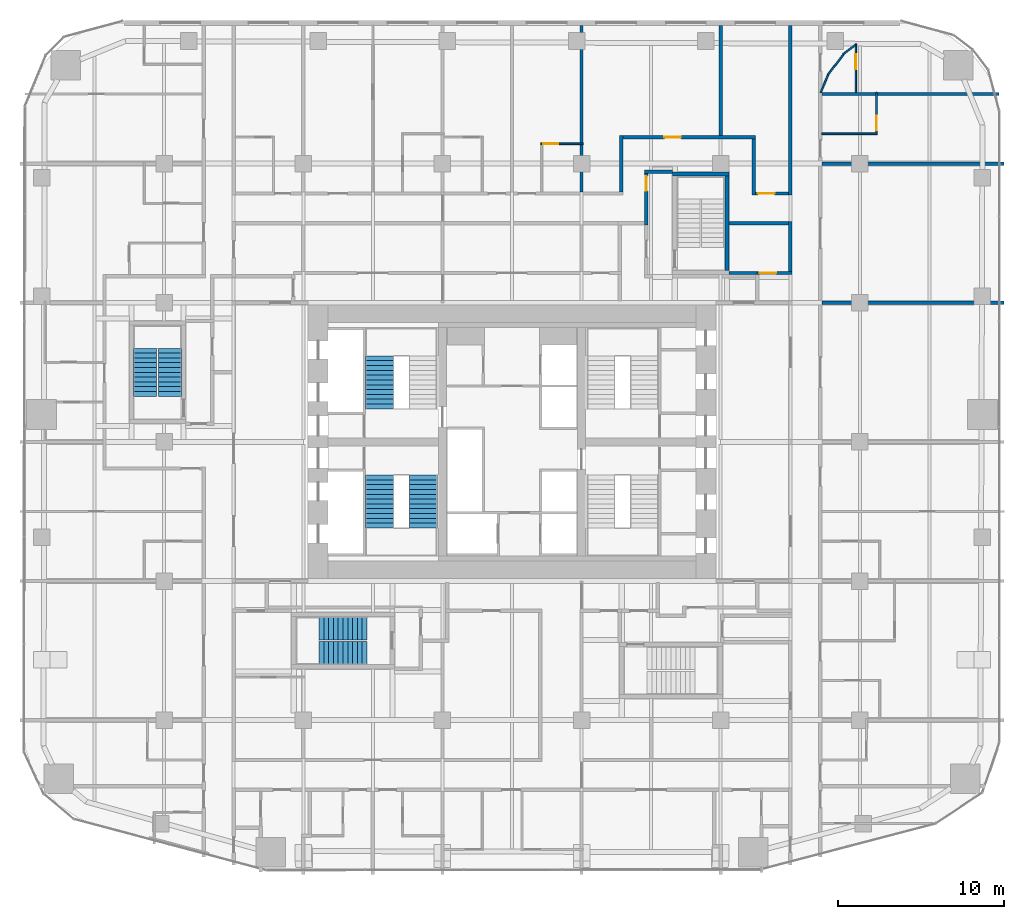
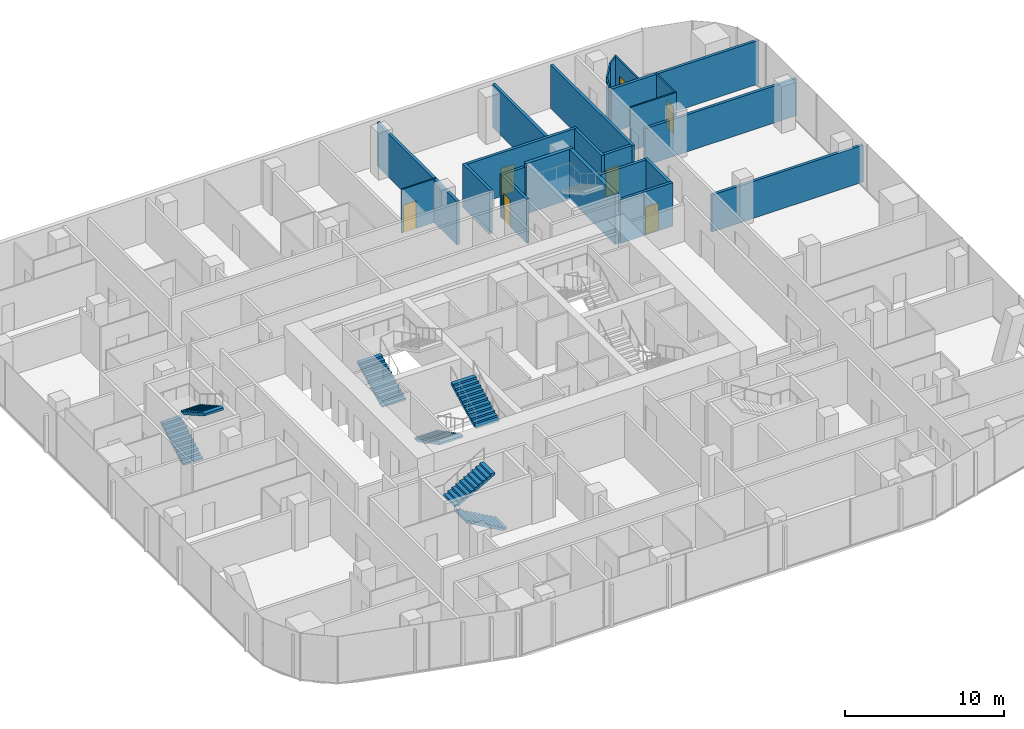
# One storey, part 24 of 27: 25 walls, 7 doors, 7 stair flights, 7 openings, 4 elements without a shape of their own.
"""IFC4 building model written with IfcOpenShell, lengths in metres."""

from ifc_helpers import new_model, si_unit, direction, frame, frame_2d, origin, place, context, subcontext, project, spatial, polyline, rectangle, outline, extrude, material, layer, layer_set, type_object, element, fill, aggregate, save


model = new_model("IFC4")

# Units and contexts
model_context = context("Model", 3, precision=1e-05, world=origin(), true_north=direction((0.0, 1.0)))
body_context = subcontext(model_context, "Body", "Model", "MODEL_VIEW")
ifc_project = project(units=[si_unit("LENGTHUNIT", "METRE"), si_unit("AREAUNIT", "SQUARE_METRE"), si_unit("VOLUMEUNIT", "CUBIC_METRE"), si_unit("PLANEANGLEUNIT", "RADIAN"), si_unit("MASSUNIT", "GRAM", prefix="KILO")], contexts=[model_context])

# Site, building, storey
site_placement = place(None, origin())
site = spatial("IfcSite", under=ifc_project, at=site_placement, CompositionType="ELEMENT")
building_placement = place(site_placement, origin())
building = spatial("IfcBuilding", under=site, at=building_placement, Name="Marenta Gate Hotel Tower", CompositionType="ELEMENT")
storey_placement = place(building_placement, frame((0.0, 0.0, 36.5)))
storey = spatial("IfcBuildingStorey", under=building, at=storey_placement, Name="L06", CompositionType="ELEMENT", Elevation=36.5)

# Walls
ifc_material_1 = material(Name="Concrete C40", Category="concrete")
ifc_layer_1 = layer(ifc_material_1, 0.25)
ifc_layer_set_1 = layer_set([ifc_layer_1], Name="Concrete C40")
wall_type_1 = type_object("IfcWallType", Name="Remote stair enclosure wall 250 REI 180", PredefinedType="SHEAR", material=ifc_layer_set_1)
wall_1_placement = place(storey_placement, frame((9.699951171875, 24.574951171875, -0.14990234375), z_axis=(0.0, 0.0, 1.0), x_axis=(1.0, 0.0, 0.0)))
element("IfcWall", 1, at=wall_1_placement, inside=storey, type_object=wall_type_1, Name="L06-RS-Z1-4-W2", PredefinedType="SHEAR", context=body_context, shape_type="SweptSolid", body=[
    extrude(rectangle(XDim=3.400146484375, YDim=0.25, at=frame_2d((1.7001953125, 0.0))), origin(), (0.0, 0.0, 1.0), 3.849853515625),
])
wall_2_placement = place(storey_placement, frame((12.97509765625, 18.75, -0.14990234375), z_axis=(0.0, 0.0, 1.0), x_axis=(0.0, 1.0, 0.0)))
element("IfcWall", 2, at=wall_2_placement, inside=storey, type_object=wall_type_1, Name="L06-RS-Z1-4-W4", PredefinedType="SHEAR", context=body_context, shape_type="SweptSolid", body=[
    extrude(rectangle(XDim=5.699951171875, YDim=0.25, at=frame_2d((2.85009765625, 0.0))), origin(), (0.0, 0.0, 1.0), 3.849853515625),
])
ifc_material_2 = material(Name="Concrete blockwork", Category="masonry")
ifc_layer_2 = layer(ifc_material_2, 0.199951171875)
ifc_layer_set_2 = layer_set([ifc_layer_2], Name="Concrete blockwork")
wall_type_2 = type_object("IfcWallType", Name="Room corridor wall 200 EI 120", PredefinedType="PARTITIONING", material=ifc_layer_set_2)
wall_3_placement = place(storey_placement, frame((6.60009765625, 23.5, 0.0), z_axis=(0.0, 0.0, 1.0), x_axis=(0.0, 1.0, 0.0)))
element("IfcWall", 3, at=wall_3_placement, inside=storey, type_object=wall_type_2, Name="L06-PTN-W047", PredefinedType="PARTITIONING", context=body_context, shape_type="SweptSolid", body=[
    extrude(rectangle(XDim=3.39990234375, YDim=0.199951171875, at=frame_2d((1.699951171875, 0.0))), origin(), (0.0, 0.0, 1.0), 3.340087890625),
])

# Wall, opening, door
wall_4_placement = place(storey_placement, frame((6.699951171875, 26.800048828125, 0.0), z_axis=(0.0, 0.0, 1.0), x_axis=(1.0, 0.0, 0.0)))
wall_4 = element("IfcWall", 4, at=wall_4_placement, inside=storey, type_object=wall_type_2, Name="L06-PTN-W154", PredefinedType="PARTITIONING", context=body_context, shape_type="SweptSolid", body=[
    extrude(rectangle(XDim=8.0, YDim=0.199951171875, at=frame_2d((4.0, 0.0))), origin(), (0.0, 0.0, 1.0), 3.340087890625),
])
opening_1_placement = place(wall_4_placement, frame((2.5, 0.0, 0.0)))
opening_1 = element("IfcOpeningElement", 5, at=opening_1_placement, cuts=wall_4, Name="Opening G01-67", PredefinedType="OPENING", context=body_context, shape_type="SweptSolid", body=[
    extrude(rectangle(XDim=1.0, YDim=2.10009765625, at=frame_2d((0.5, 1.050048828125))), frame((0.0, 0.10009765625, 0.0), z_axis=(0.0, -1.0, 0.0), x_axis=(1.0, 0.0, 0.0)), (0.0, 0.0, 1.0), 0.199951171875),
])
ifc_material_3 = material(Name="Hollow steel door set", Category="steel")
door_type_1 = type_object("IfcDoorType", Name="Room service door 1000x2100 EI 60", OperationType="NOTDEFINED", PredefinedType="DOOR", material=ifc_material_3)
door_1_placement = place(opening_1_placement, origin())
door_1 = element("IfcDoor", 6, at=door_1_placement, inside=storey, type_object=door_type_1, Name="L06-PD-D067", OperationType="SINGLE_SWING_LEFT", OverallHeight=2.10009765625, OverallWidth=1.0, PredefinedType="DOOR", context=body_context, shape_type="SweptSolid", body=[
    extrude(rectangle(XDim=1.0, YDim=2.10009765625, at=frame_2d((0.5, 1.050048828125))), frame((0.0, 0.02490234375, 0.0), z_axis=(0.0, -1.0, 0.0), x_axis=(1.0, 0.0, 0.0)), (0.0, 0.0, 1.0), 0.050048828125),
])
fill(opening_1, door_1)

# Walls
ifc_material_4 = material(Name="Gypsum board on steel stud", Category="steel")
ifc_layer_3 = layer(ifc_material_4, 0.199951171875)
ifc_layer_set_3 = layer_set([ifc_layer_3], Name="Gypsum board on steel stud")
wall_type_3 = type_object("IfcWallType", Name="Room corridor wall 200 EI 60", PredefinedType="PARTITIONING", material=ifc_layer_set_3)
wall_5_placement = place(storey_placement, frame((16.800048828125, 18.699951171875, 0.0), z_axis=(0.0, 0.0, 1.0), x_axis=(0.0, 1.0, 0.0)))
element("IfcWall", 7, at=wall_5_placement, inside=storey, type_object=wall_type_3, Name="L06-PTN-W011", PredefinedType="PARTITIONING", context=body_context, shape_type="SweptSolid", body=[
    extrude(rectangle(XDim=3.0, YDim=0.199951171875, at=frame_2d((1.5, 0.0))), origin(), (0.0, 0.0, 1.0), 3.340087890625),
])
wall_6_placement = place(storey_placement, frame((16.800048828125, 23.300048828125, 0.0), z_axis=(0.0, 0.0, 1.0), x_axis=(0.0, 1.0, 0.0)))
element("IfcWall", 8, at=wall_6_placement, inside=storey, type_object=wall_type_3, Name="L06-PTN-W012", PredefinedType="PARTITIONING", context=body_context, shape_type="SweptSolid", body=[
    extrude(rectangle(XDim=10.239990234375, YDim=0.199951171875, at=frame_2d((5.1201171875, 0.0))), origin(), (0.0, 0.0, 1.0), 3.340087890625),
])
wall_7_placement = place(storey_placement, frame((14.60009765625, 23.300048828125, 0.0), z_axis=(0.0, 0.0, 1.0), x_axis=(0.0, 1.0, 0.0)))
element("IfcWall", 9, at=wall_7_placement, inside=storey, type_object=wall_type_3, Name="L06-PTN-W026", PredefinedType="PARTITIONING", context=body_context, shape_type="SweptSolid", body=[
    extrude(rectangle(XDim=3.39990234375, YDim=0.199951171875, at=frame_2d((1.699951171875, 0.0))), origin(), (0.0, 0.0, 1.0), 3.340087890625),
])

# Wall, opening, door
wall_8_placement = place(storey_placement, frame((14.800048828125, 18.60009765625, 0.0), z_axis=(0.0, 0.0, 1.0), x_axis=(1.0, 0.0, 0.0)))
wall_8 = element("IfcWall", 10, at=wall_8_placement, inside=storey, type_object=wall_type_3, Name="L06-PTN-W132", PredefinedType="PARTITIONING", context=body_context, shape_type="SweptSolid", body=[
    extrude(rectangle(XDim=2.099853515625, YDim=0.199951171875, at=frame_2d((1.0498046875, 0.0))), origin(), (0.0, 0.0, 1.0), 3.340087890625),
])
opening_2_placement = place(wall_8_placement, frame((0.14990234375, 0.0, 0.0)))
opening_2 = element("IfcOpeningElement", 11, at=opening_2_placement, cuts=wall_8, Name="Opening G01-04", PredefinedType="OPENING", context=body_context, shape_type="SweptSolid", body=[
    extrude(rectangle(XDim=1.0, YDim=2.10009765625, at=frame_2d((0.5, 1.050048828125))), frame((0.0, 0.10009765625, 0.0), z_axis=(0.0, -1.0, 0.0), x_axis=(1.0, 0.0, 0.0)), (0.0, 0.0, 1.0), 0.199951171875),
])
ifc_material_5 = material(Name="Timber door leaf", Category="wood")
door_type_2 = type_object("IfcDoorType", Name="Room amenity door 1000x2100 EI 30", OperationType="NOTDEFINED", PredefinedType="DOOR", material=ifc_material_5)
door_2_placement = place(opening_2_placement, origin())
door_2 = element("IfcDoor", 12, at=door_2_placement, inside=storey, type_object=door_type_2, Name="L06-PD-D004", OperationType="SINGLE_SWING_RIGHT", OverallHeight=2.10009765625, OverallWidth=1.0, PredefinedType="DOOR", context=body_context, shape_type="SweptSolid", body=[
    extrude(rectangle(XDim=1.0, YDim=2.10009765625, at=frame_2d((0.5, 1.050048828125))), frame((0.0, 0.02490234375, 0.0), z_axis=(0.0, -1.0, 0.0), x_axis=(1.0, 0.0, 0.0)), (0.0, 0.0, 1.0), 0.050048828125),
])
fill(opening_2, door_2)

# Wall
wall_9_placement = place(storey_placement, frame((13.10009765625, 21.60009765625, 0.0), z_axis=(0.0, 0.0, 1.0), x_axis=(1.0, 0.0, 0.0)))
element("IfcWall", 13, at=wall_9_placement, inside=storey, type_object=wall_type_3, Name="L06-PTN-W137", PredefinedType="PARTITIONING", context=body_context, shape_type="SweptSolid", body=[
    extrude(rectangle(XDim=3.599853515625, YDim=0.199951171875, at=frame_2d((1.7998046875, 0.0))), origin(), (0.0, 0.0, 1.0), 3.340087890625),
])

# Wall, opening, door
wall_10_placement = place(storey_placement, frame((14.699951171875, 23.39990234375, 0.0), z_axis=(0.0, 0.0, 1.0), x_axis=(1.0, 0.0, 0.0)))
wall_10 = element("IfcWall", 14, at=wall_10_placement, inside=storey, type_object=wall_type_3, Name="L06-PTN-W146", PredefinedType="PARTITIONING", context=body_context, shape_type="SweptSolid", body=[
    extrude(rectangle(XDim=2.0, YDim=0.199951171875, at=frame_2d((1.0, 0.0))), origin(), (0.0, 0.0, 1.0), 3.340087890625),
])
opening_3_placement = place(wall_10_placement, frame((0.14990234375, 0.0, 0.0)))
opening_3 = element("IfcOpeningElement", 15, at=opening_3_placement, cuts=wall_10, Name="Opening G01-34", PredefinedType="OPENING", context=body_context, shape_type="SweptSolid", body=[
    extrude(rectangle(XDim=1.0, YDim=2.10009765625, at=frame_2d((0.5, 1.050048828125))), frame((0.0, 0.10009765625, 0.0), z_axis=(0.0, -1.0, 0.0), x_axis=(1.0, 0.0, 0.0)), (0.0, 0.0, 1.0), 0.199951171875),
])
door_3_placement = place(opening_3_placement, origin())
door_3 = element("IfcDoor", 16, at=door_3_placement, inside=storey, type_object=door_type_2, Name="L06-PD-D034", OperationType="SINGLE_SWING_LEFT", OverallHeight=2.10009765625, OverallWidth=1.0, PredefinedType="DOOR", context=body_context, shape_type="SweptSolid", body=[
    extrude(rectangle(XDim=1.0, YDim=2.10009765625, at=frame_2d((0.5, 1.050048828125))), frame((0.0, 0.02490234375, 0.0), z_axis=(0.0, -1.0, 0.0), x_axis=(1.0, 0.0, 0.0)), (0.0, 0.0, 1.0), 0.050048828125),
])
fill(opening_3, door_3)

ifc_material_6 = material(Name="Concrete blockwork", Category="masonry")
ifc_layer_4 = layer(ifc_material_6, 0.199951171875)
ifc_layer_set_4 = layer_set([ifc_layer_4], Name="Concrete blockwork")
wall_type_4 = type_object("IfcWallType", Name="Room corridor wall 200 REI 180", PredefinedType="PARTITIONING", material=ifc_layer_set_4)
wall_11_placement = place(storey_placement, frame((8.10009765625, 21.5, 0.0), z_axis=(0.0, 0.0, 1.0), x_axis=(0.0, 1.0, 0.0)))
wall_11 = element("IfcWall", 17, at=wall_11_placement, inside=storey, type_object=wall_type_4, Name="L06-PTN-W046", PredefinedType="PARTITIONING", context=body_context, shape_type="SweptSolid", body=[
    extrude(rectangle(XDim=3.10009765625, YDim=0.199951171875, at=frame_2d((1.550048828125, 0.0))), origin(), (0.0, 0.0, 1.0), 3.340087890625),
])
opening_4_placement = place(wall_11_placement, frame((2.050048828125, 0.0, 0.0)))
opening_4 = element("IfcOpeningElement", 18, at=opening_4_placement, cuts=wall_11, Name="Opening G01-65", PredefinedType="OPENING", context=body_context, shape_type="SweptSolid", body=[
    extrude(rectangle(XDim=0.89990234375, YDim=2.10009765625, at=frame_2d((0.449951171875, 1.050048828125))), frame((0.0, 0.10009765625, 0.0), z_axis=(0.0, -1.0, 0.0), x_axis=(1.0, 0.0, 0.0)), (0.0, 0.0, 1.0), 0.199951171875),
])
ifc_material_7 = material(Name="Hollow steel door set", Category="steel")
door_type_3 = type_object("IfcDoorType", Name="Stair vestibule door 900x2100 EI 60", OperationType="NOTDEFINED", PredefinedType="DOOR", material=ifc_material_7)
door_4_placement = place(opening_4_placement, origin())
door_4 = element("IfcDoor", 19, at=door_4_placement, inside=storey, type_object=door_type_3, Name="L06-PD-D065", OperationType="SINGLE_SWING_LEFT", OverallHeight=2.10009765625, OverallWidth=0.89990234375, PredefinedType="DOOR", context=body_context, shape_type="SweptSolid", body=[
    extrude(rectangle(XDim=0.89990234375, YDim=2.10009765625, at=frame_2d((0.449951171875, 1.050048828125))), frame((0.0, 0.02490234375, 0.0), z_axis=(0.0, -1.0, 0.0), x_axis=(1.0, 0.0, 0.0)), (0.0, 0.0, 1.0), 0.050048828125),
])
fill(opening_4, door_4)

# Wall
wall_12_placement = place(storey_placement, frame((8.0, 24.699951171875, 0.0), z_axis=(0.0, 0.0, 1.0), x_axis=(1.0, 0.0, 0.0)))
element("IfcWall", 20, at=wall_12_placement, inside=storey, type_object=wall_type_4, Name="L06-PTN-W148", PredefinedType="PARTITIONING", context=body_context, shape_type="SweptSolid", body=[
    extrude(rectangle(XDim=1.699951171875, YDim=0.199951171875, at=frame_2d((0.85009765625, 0.0))), origin(), (0.0, 0.0, 1.0), 3.340087890625),
])

# Wall, opening, door
ifc_material_8 = material(Name="Gypsum board on steel stud", Category="steel")
ifc_layer_5 = layer(ifc_material_8, 0.10009765625)
ifc_layer_set_5 = layer_set([ifc_layer_5], Name="Gypsum board on steel stud")
wall_type_5 = type_object("IfcWallType", Name="Room partition 100", PredefinedType="PARTITIONING", material=ifc_layer_set_5)
wall_13_placement = place(storey_placement, frame((22.0, 27.050048828125, 0.0), z_axis=(0.0, 0.0, 1.0), x_axis=(0.0, 1.0, 0.0)))
wall_13 = element("IfcWall", 21, at=wall_13_placement, inside=storey, type_object=wall_type_5, Name="L06-PTN-W004", PredefinedType="PARTITIONING", context=body_context, shape_type="SweptSolid", body=[
    extrude(rectangle(XDim=2.449951171875, YDim=0.10009765625, at=frame_2d((1.22509765625, 0.0))), origin(), (0.0, 0.0, 1.0), 3.340087890625),
])
opening_5_placement = place(wall_13_placement, frame((0.14990234375, 0.0, 0.0)))
opening_5 = element("IfcOpeningElement", 22, at=opening_5_placement, cuts=wall_13, Name="Opening G01-22", PredefinedType="OPENING", context=body_context, shape_type="SweptSolid", body=[
    extrude(rectangle(XDim=0.89990234375, YDim=2.10009765625, at=frame_2d((0.449951171875, 1.050048828125))), frame((0.0, 0.050048828125, 0.0), z_axis=(0.0, -1.0, 0.0), x_axis=(1.0, 0.0, 0.0)), (0.0, 0.0, 1.0), 0.10009765625),
])
ifc_material_9 = material(Name="Timber door leaf", Category="wood")
door_type_4 = type_object("IfcDoorType", Name="Guest bathroom door 900x2100", OperationType="NOTDEFINED", PredefinedType="DOOR", material=ifc_material_9)
door_5_placement = place(opening_5_placement, origin())
door_5 = element("IfcDoor", 23, at=door_5_placement, inside=storey, type_object=door_type_4, Name="L06-PD-D022", OperationType="SINGLE_SWING_LEFT", OverallHeight=2.10009765625, OverallWidth=0.89990234375, PredefinedType="DOOR", context=body_context, shape_type="SweptSolid", body=[
    extrude(rectangle(XDim=0.89990234375, YDim=2.10009765625, at=frame_2d((0.449951171875, 1.050048828125))), frame((0.0, 0.02490234375, 0.0), z_axis=(0.0, -1.0, 0.0), x_axis=(1.0, 0.0, 0.0)), (0.0, 0.0, 1.0), 0.050048828125),
])
fill(opening_5, door_5)

wall_14_placement = place(storey_placement, frame((20.757080078125, 29.5, 0.0), z_axis=(0.0, 0.0, 1.0), x_axis=(0.0, 1.0, 0.0)))
wall_14 = element("IfcWall", 24, at=wall_14_placement, inside=storey, type_object=wall_type_5, Name="L06-PTN-W006", PredefinedType="PARTITIONING", context=body_context, shape_type="SweptSolid", body=[
    extrude(rectangle(XDim=2.93505859375, YDim=0.10009765625, at=frame_2d((1.467529296875, 0.0))), origin(), (0.0, 0.0, 1.0), 3.340087890625),
])
opening_6_placement = place(wall_14_placement, frame((1.39990234375, 0.0, 0.0)))
opening_6 = element("IfcOpeningElement", 25, at=opening_6_placement, cuts=wall_14, Name="Opening G01-24", PredefinedType="OPENING", context=body_context, shape_type="SweptSolid", body=[
    extrude(rectangle(XDim=0.89990234375, YDim=2.10009765625, at=frame_2d((0.449951171875, 1.050048828125))), frame((0.0, 0.050048828125, 0.0), z_axis=(0.0, -1.0, 0.0), x_axis=(1.0, 0.0, 0.0)), (0.0, 0.0, 1.0), 0.10009765625),
])
door_6_placement = place(opening_6_placement, origin())
door_6 = element("IfcDoor", 26, at=door_6_placement, inside=storey, type_object=door_type_4, Name="L06-PD-D024", OperationType="SINGLE_SWING_RIGHT", OverallHeight=2.10009765625, OverallWidth=0.89990234375, PredefinedType="DOOR", context=body_context, shape_type="SweptSolid", body=[
    extrude(rectangle(XDim=0.89990234375, YDim=2.10009765625, at=frame_2d((0.449951171875, 1.050048828125))), frame((0.0, 0.02490234375, 0.0), z_axis=(0.0, -1.0, 0.0), x_axis=(1.0, 0.0, 0.0)), (0.0, 0.0, 1.0), 0.050048828125),
])
fill(opening_6, door_6)

# Walls
wall_15_placement = place(storey_placement, frame((18.637939453125, 29.491943359375, 0.0), z_axis=(0.0, 0.0, 1.0), x_axis=(0.382714431757, 0.923866691533, 0.0)))
element("IfcWall", 27, at=wall_15_placement, inside=storey, type_object=wall_type_5, Name="L06-PTN-W052", PredefinedType="PARTITIONING", context=body_context, shape_type="SweptSolid", body=[
    extrude(rectangle(XDim=1.1494140625, YDim=0.10009765625, at=frame_2d((0.57470703125, 0.0))), origin(), (0.0, 0.0, 1.0), 3.340087890625),
])
wall_16_placement = place(storey_placement, frame((19.06689453125, 30.56005859375, 0.0), z_axis=(0.0, 0.0, 1.0), x_axis=(0.608519892166, 0.793538619626, 0.0)))
element("IfcWall", 28, at=wall_16_placement, inside=storey, type_object=wall_type_5, Name="L06-PTN-W082", PredefinedType="PARTITIONING", context=body_context, shape_type="SweptSolid", body=[
    extrude(rectangle(XDim=1.56640625, YDim=0.10009765625, at=frame_2d((0.783203125, 0.0))), origin(), (0.0, 0.0, 1.0), 3.340087890625),
])
wall_17_placement = place(storey_placement, frame((20.010009765625, 31.81298828125, 0.0), z_axis=(0.0, 0.0, 1.0), x_axis=(0.793641646693, 0.608385516457, 0.0)))
element("IfcWall", 29, at=wall_17_placement, inside=storey, type_object=wall_type_5, Name="L06-PTN-W108", PredefinedType="PARTITIONING", context=body_context, shape_type="SweptSolid", body=[
    extrude(rectangle(XDim=0.890869140625, YDim=0.10009765625, at=frame_2d((0.4453125, 0.0))), origin(), (0.0, 0.0, 1.0), 3.340087890625),
])

# Wall, opening, door
wall_18_placement = place(storey_placement, frame((1.75, 26.39990234375, 0.0), z_axis=(0.0, 0.0, 1.0), x_axis=(1.0, 0.0, 0.0)))
wall_18 = element("IfcWall", 30, at=wall_18_placement, inside=storey, type_object=wall_type_5, Name="L06-PTN-W151", PredefinedType="PARTITIONING", context=body_context, shape_type="SweptSolid", body=[
    extrude(rectangle(XDim=2.550048828125, YDim=0.10009765625, at=frame_2d((1.27490234375, 0.0))), origin(), (0.0, 0.0, 1.0), 3.340087890625),
])
opening_7_placement = place(wall_18_placement, frame((0.14990234375, 0.0, 0.0)))
opening_7 = element("IfcOpeningElement", 31, at=opening_7_placement, cuts=wall_18, Name="Opening G01-33", PredefinedType="OPENING", context=body_context, shape_type="SweptSolid", body=[
    extrude(rectangle(XDim=0.89990234375, YDim=2.10009765625, at=frame_2d((0.449951171875, 1.050048828125))), frame((0.0, 0.050048828125, 0.0), z_axis=(0.0, -1.0, 0.0), x_axis=(1.0, 0.0, 0.0)), (0.0, 0.0, 1.0), 0.10009765625),
])
door_7_placement = place(opening_7_placement, origin())
door_7 = element("IfcDoor", 32, at=door_7_placement, inside=storey, type_object=door_type_4, Name="L06-PD-D033", OperationType="SINGLE_SWING_RIGHT", OverallHeight=2.10009765625, OverallWidth=0.89990234375, PredefinedType="DOOR", context=body_context, shape_type="SweptSolid", body=[
    extrude(rectangle(XDim=0.89990234375, YDim=2.10009765625, at=frame_2d((0.449951171875, 1.050048828125))), frame((0.0, 0.02490234375, 0.0), z_axis=(0.0, -1.0, 0.0), x_axis=(1.0, 0.0, 0.0)), (0.0, 0.0, 1.0), 0.050048828125),
])
fill(opening_7, door_7)

# Walls
wall_19_placement = place(storey_placement, frame((18.699951171875, 27.0, 0.0), z_axis=(0.0, 0.0, 1.0), x_axis=(1.0, 0.0, 0.0)))
element("IfcWall", 33, at=wall_19_placement, inside=storey, type_object=wall_type_5, Name="L06-PTN-W156", PredefinedType="PARTITIONING", context=body_context, shape_type="SweptSolid", body=[
    extrude(rectangle(XDim=3.35009765625, YDim=0.10009765625, at=frame_2d((1.675048828125, 0.0))), origin(), (0.0, 0.0, 1.0), 3.340087890625),
])
ifc_material_10 = material(Name="Concrete blockwork", Category="masonry")
ifc_layer_6 = layer(ifc_material_10, 0.199951171875)
ifc_layer_set_6 = layer_set([ifc_layer_6], Name="Concrete blockwork")
wall_type_6 = type_object("IfcWallType", Name="Room party wall 200 EI 120", PredefinedType="PARTITIONING", material=ifc_layer_set_6)
wall_20_placement = place(storey_placement, frame((12.60009765625, 26.89990234375, 0.0), z_axis=(0.0, 0.0, 1.0), x_axis=(0.0, 1.0, 0.0)))
element("IfcWall", 34, at=wall_20_placement, inside=storey, type_object=wall_type_6, Name="L06-PTN-W030", PredefinedType="PARTITIONING", context=body_context, shape_type="SweptSolid", body=[
    extrude(rectangle(XDim=6.64013671875, YDim=0.199951171875, at=frame_2d((3.320068359375, 0.0))), origin(), (0.0, 0.0, 1.0), 3.340087890625),
])
wall_21_placement = place(storey_placement, frame((4.199951171875, 23.5, 0.0), z_axis=(0.0, 0.0, 1.0), x_axis=(0.0, 1.0, 0.0)))
element("IfcWall", 35, at=wall_21_placement, inside=storey, type_object=wall_type_6, Name="L06-PTN-W057", PredefinedType="PARTITIONING", context=body_context, shape_type="SweptSolid", body=[
    extrude(rectangle(XDim=10.0400390625, YDim=0.199951171875, at=frame_2d((5.02001953125, 0.0))), origin(), (0.0, 0.0, 1.0), 3.340087890625),
])
ifc_material_11 = material(Name="Gypsum board on steel stud", Category="steel")
ifc_layer_7 = layer(ifc_material_11, 0.199951171875)
ifc_layer_set_7 = layer_set([ifc_layer_7], Name="Gypsum board on steel stud")
wall_type_7 = type_object("IfcWallType", Name="Room party wall 200 EI 60", PredefinedType="PARTITIONING", material=ifc_layer_set_7)
for number, where, z_axis, x_axis, name in (
    (36, (18.699951171875, 16.800048828125, 0.0), (0.0, 0.0, 1.0), (1.0, 0.0, 0.0), "L06-PTN-W121"),
    (37, (18.699951171875, 25.199951171875, 0.0), (0.0, 0.0, 1.0), (1.0, 0.0, 0.0), "L06-PTN-W150"),
):
    element("IfcWall", number, at=place(storey_placement, frame(where, z_axis=z_axis, x_axis=x_axis)), inside=storey, type_object=wall_type_7, Name=name, PredefinedType="PARTITIONING", context=body_context, shape_type="SweptSolid", body=[
        extrude(rectangle(XDim=11.0, YDim=0.199951171875, at=frame_2d((5.5, 0.0))), origin(), (0.0, 0.0, 1.0), 2.840087890625),
    ])
wall_22_placement = place(storey_placement, frame((18.699951171875, 29.39990234375, 0.0), z_axis=(0.0, 0.0, 1.0), x_axis=(1.0, 0.0, 0.0)))
element("IfcWall", 38, at=wall_22_placement, inside=storey, type_object=wall_type_7, Name="L06-PTN-W160", PredefinedType="PARTITIONING", context=body_context, shape_type="SweptSolid", body=[
    extrude(rectangle(XDim=10.693115234375, YDim=0.199951171875, at=frame_2d((5.3466796875, 0.0))), origin(), (0.0, 0.0, 1.0), 3.340087890625),
])
ifc_material_12 = material(Name="Concrete blockwork", Category="masonry")
ifc_layer_8 = layer(ifc_material_12, 0.199951171875)
ifc_layer_set_8 = layer_set([ifc_layer_8], Name="Concrete blockwork")
wall_type_8 = type_object("IfcWallType", Name="Room party wall 200 REI 180", PredefinedType="PARTITIONING", material=ifc_layer_set_8)
wall_23_placement = place(storey_placement, frame((13.10009765625, 18.60009765625, 0.0), z_axis=(0.0, 0.0, 1.0), x_axis=(1.0, 0.0, 0.0)))
element("IfcWall", 39, at=wall_23_placement, inside=storey, type_object=wall_type_8, Name="L06-PTN-W133", PredefinedType="PARTITIONING", context=body_context, shape_type="SweptSolid", body=[
    extrude(rectangle(XDim=1.699951171875, YDim=0.199951171875, at=frame_2d((0.85009765625, 0.0))), origin(), (0.0, 0.0, 1.0), 3.340087890625),
])

# Stair, stair flights
ifc_material_13 = material(Name="Concrete C40", Category="concrete")
stair_type_1 = type_object("IfcStairType", Name="Core exit stair 1700 wide", PredefinedType="HALF_TURN_STAIR", material=ifc_material_13)
stair_1_placement = place(storey_placement, origin())
stair_1 = element("IfcStair", 40, at=stair_1_placement, inside=storey, type_object=stair_type_1, Name="Exit stair 1", PredefinedType="HALF_TURN_STAIR")
ifc_material_14 = material(Name="Concrete C40", Category="concrete")
stair_flight_type_1 = type_object("IfcStairFlightType", Name="Core stair flight 1700 riser 150.0 going 290", PredefinedType="STRAIGHT", material=ifc_material_14)
stair_flight_1_placement = place(storey_placement, frame((-8.0, 6.39990234375, 0.0), z_axis=(0.0, 0.0, 1.0), x_axis=(0.0, -1.0, 0.0)))
stair_flight_1 = element("IfcStairFlight", 41, at=stair_flight_1_placement, type_object=stair_flight_type_1, Name="ST1 flight 1", NumberOfRisers=12, NumberOfTreads=11, PredefinedType="STRAIGHT", RiserHeight=0.15, TreadLength=0.29, context=body_context, shape_type="SweptSolid", body=[
    extrude(outline(polyline([(0.0, 0.0), (0.0, 0.14990234375), (0.2900390625, 0.14990234375), (0.2900390625, 0.300048828125), (0.580078125, 0.300048828125), (0.580078125, 0.449951171875), (0.8701171875, 0.449951171875), (0.8701171875, 0.60009765625), (1.159912109375, 0.60009765625), (1.159912109375, 0.75), (1.449951171875, 0.75), (1.449951171875, 0.89990234375), (1.739990234375, 0.89990234375), (1.739990234375, 1.050048828125), (2.030029296875, 1.050048828125), (2.030029296875, 1.199951171875), (2.320068359375, 1.199951171875), (2.320068359375, 1.35009765625), (2.610107421875, 1.35009765625), (2.610107421875, 1.5), (2.89990234375, 1.5), (2.89990234375, 1.64990234375), (3.18994140625, 1.64990234375), (3.18994140625, 1.800048828125), (3.18994140625, 1.481201171875), (0.326171875, 0.0), (0.0, 0.0)])), frame((0.0, 0.85009765625, 0.0), z_axis=(0.0, -1.0, 0.0), x_axis=(1.0, 0.0, 0.0)), (0.0, 0.0, 1.0), 1.699951171875),
])
stair_flight_2_placement = place(storey_placement, frame((-5.35009765625, 3.2099609375, 1.800048828125), z_axis=(0.0, 0.0, 1.0), x_axis=(0.0, 1.0, 0.0)))
stair_flight_2 = element("IfcStairFlight", 42, at=stair_flight_2_placement, type_object=stair_flight_type_1, Name="ST1 flight 2", NumberOfRisers=12, NumberOfTreads=11, PredefinedType="STRAIGHT", RiserHeight=0.15, TreadLength=0.29, context=body_context, shape_type="SweptSolid", body=[
    extrude(outline(polyline([(0.0, 0.0), (0.0, 0.14990234375), (0.2900390625, 0.14990234375), (0.2900390625, 0.300048828125), (0.580078125, 0.300048828125), (0.580078125, 0.449951171875), (0.8701171875, 0.449951171875), (0.8701171875, 0.60009765625), (1.159912109375, 0.60009765625), (1.159912109375, 0.75), (1.449951171875, 0.75), (1.449951171875, 0.89990234375), (1.739990234375, 0.89990234375), (1.739990234375, 1.050048828125), (2.030029296875, 1.050048828125), (2.030029296875, 1.199951171875), (2.320068359375, 1.199951171875), (2.320068359375, 1.35009765625), (2.610107421875, 1.35009765625), (2.610107421875, 1.5), (2.89990234375, 1.5), (2.89990234375, 1.64990234375), (3.18994140625, 1.64990234375), (3.18994140625, 1.800048828125), (3.18994140625, 1.481201171875), (0.326171875, 0.0), (0.0, 0.0)])), frame((0.0, 0.85009765625, 0.0), z_axis=(0.0, -1.0, 0.0), x_axis=(1.0, 0.0, 0.0)), (0.0, 0.0, 1.0), 1.699951171875),
])
aggregate(stair_1, [stair_flight_1, stair_flight_2])

# Stair, stair flight
stair_2_placement = place(storey_placement, origin())
stair_2 = element("IfcStair", 43, at=stair_2_placement, inside=storey, type_object=stair_type_1, Name="Exit stair 2", PredefinedType="HALF_TURN_STAIR")
stair_flight_3_placement = place(storey_placement, frame((-8.0, 10.39990234375, 0.0), z_axis=(0.0, 0.0, 1.0), x_axis=(0.0, 1.0, 0.0)))
stair_flight_3 = element("IfcStairFlight", 44, at=stair_flight_3_placement, type_object=stair_flight_type_1, Name="ST2 flight 1", NumberOfRisers=12, NumberOfTreads=11, PredefinedType="STRAIGHT", RiserHeight=0.15, TreadLength=0.29, context=body_context, shape_type="SweptSolid", body=[
    extrude(outline(polyline([(0.0, 0.0), (0.0, 0.14990234375), (0.2900390625, 0.14990234375), (0.2900390625, 0.300048828125), (0.580078125, 0.300048828125), (0.580078125, 0.449951171875), (0.8701171875, 0.449951171875), (0.8701171875, 0.60009765625), (1.159912109375, 0.60009765625), (1.159912109375, 0.75), (1.449951171875, 0.75), (1.449951171875, 0.89990234375), (1.739990234375, 0.89990234375), (1.739990234375, 1.050048828125), (2.030029296875, 1.050048828125), (2.030029296875, 1.199951171875), (2.320068359375, 1.199951171875), (2.320068359375, 1.35009765625), (2.610107421875, 1.35009765625), (2.610107421875, 1.5), (2.89990234375, 1.5), (2.89990234375, 1.64990234375), (3.18994140625, 1.64990234375), (3.18994140625, 1.800048828125), (3.18994140625, 1.481201171875), (0.326171875, 0.0), (0.0, 0.0)])), frame((0.0, 0.85009765625, 0.0), z_axis=(0.0, -1.0, 0.0), x_axis=(1.0, 0.0, 0.0)), (0.0, 0.0, 1.0), 1.699951171875),
])
aggregate(stair_2, [stair_flight_3])

# Stair, stair flights
ifc_material_15 = material(Name="Concrete C40", Category="concrete")
stair_type_2 = type_object("IfcStairType", Name="Remote exit stair 1400 wide", PredefinedType="HALF_TURN_STAIR", material=ifc_material_15)
stair_3_placement = place(storey_placement, origin())
stair_3 = element("IfcStair", 45, at=stair_3_placement, inside=storey, type_object=stair_type_2, Name="Exit stair RS-Z1-2", PredefinedType="HALF_TURN_STAIR")
ifc_material_16 = material(Name="Concrete C40", Category="concrete")
stair_flight_type_2 = type_object("IfcStairFlightType", Name="Remote stair flight 1400 riser 163.6 going 290", PredefinedType="STRAIGHT", material=ifc_material_16)
stair_flight_4_placement = place(storey_placement, frame((-8.75, -4.35009765625, 0.0), z_axis=(0.0, 0.0, 1.0), x_axis=(-1.0, 0.0, 0.0)))
stair_flight_4 = element("IfcStairFlight", 46, at=stair_flight_4_placement, type_object=stair_flight_type_2, Name="RS-Z1-2 flight 1", NumberOfRisers=11, NumberOfTreads=10, PredefinedType="STRAIGHT", RiserHeight=0.163636, TreadLength=0.29, context=body_context, shape_type="SweptSolid", body=[
    extrude(outline(polyline([(0.0, 0.0), (0.0, 0.16357421875), (0.2900390625, 0.16357421875), (0.2900390625, 0.327392578125), (0.580078125, 0.327392578125), (0.580078125, 0.490966796875), (0.8701171875, 0.490966796875), (0.8701171875, 0.654541015625), (1.159912109375, 0.654541015625), (1.159912109375, 0.818115234375), (1.449951171875, 0.818115234375), (1.449951171875, 0.98193359375), (1.739990234375, 0.98193359375), (1.739990234375, 1.1455078125), (2.030029296875, 1.1455078125), (2.030029296875, 1.30908203125), (2.320068359375, 1.30908203125), (2.320068359375, 1.47265625), (2.610107421875, 1.47265625), (2.610107421875, 1.636474609375), (2.89990234375, 1.636474609375), (2.89990234375, 1.800048828125), (2.89990234375, 1.46435546875), (0.304931640625, 0.0), (0.0, 0.0)])), frame((0.0, 0.699951171875, 0.0), z_axis=(0.0, -1.0, 0.0), x_axis=(1.0, 0.0, 0.0)), (0.0, 0.0, 1.0), 1.39990234375),
])
stair_flight_5_placement = place(storey_placement, frame((-11.64990234375, -2.85009765625, 1.800048828125), z_axis=(0.0, 0.0, 1.0), x_axis=(1.0, 0.0, 0.0)))
stair_flight_5 = element("IfcStairFlight", 47, at=stair_flight_5_placement, type_object=stair_flight_type_2, Name="RS-Z1-2 flight 2", NumberOfRisers=11, NumberOfTreads=10, PredefinedType="STRAIGHT", RiserHeight=0.163636, TreadLength=0.29, context=body_context, shape_type="SweptSolid", body=[
    extrude(outline(polyline([(0.0, 0.0), (0.0, 0.16357421875), (0.2900390625, 0.16357421875), (0.2900390625, 0.327392578125), (0.580078125, 0.327392578125), (0.580078125, 0.490966796875), (0.8701171875, 0.490966796875), (0.8701171875, 0.654541015625), (1.159912109375, 0.654541015625), (1.159912109375, 0.818115234375), (1.449951171875, 0.818115234375), (1.449951171875, 0.98193359375), (1.739990234375, 0.98193359375), (1.739990234375, 1.1455078125), (2.030029296875, 1.1455078125), (2.030029296875, 1.30908203125), (2.320068359375, 1.30908203125), (2.320068359375, 1.47265625), (2.610107421875, 1.47265625), (2.610107421875, 1.636474609375), (2.89990234375, 1.636474609375), (2.89990234375, 1.800048828125), (2.89990234375, 1.46435546875), (0.304931640625, 0.0), (0.0, 0.0)])), frame((0.0, 0.699951171875, 0.0), z_axis=(0.0, -1.0, 0.0), x_axis=(1.0, 0.0, 0.0)), (0.0, 0.0, 1.0), 1.39990234375),
])
aggregate(stair_3, [stair_flight_4, stair_flight_5])

stair_4_placement = place(storey_placement, origin())
stair_4 = element("IfcStair", 48, at=stair_4_placement, inside=storey, type_object=stair_type_2, Name="Exit stair RS-Z1-3", PredefinedType="HALF_TURN_STAIR")
stair_flight_6_placement = place(storey_placement, frame((-22.14990234375, 11.14990234375, 0.0), z_axis=(0.0, 0.0, 1.0), x_axis=(0.0, 1.0, 0.0)))
stair_flight_6 = element("IfcStairFlight", 49, at=stair_flight_6_placement, type_object=stair_flight_type_2, Name="RS-Z1-3 flight 1", NumberOfRisers=11, NumberOfTreads=10, PredefinedType="STRAIGHT", RiserHeight=0.163636, TreadLength=0.29, context=body_context, shape_type="SweptSolid", body=[
    extrude(outline(polyline([(0.0, 0.0), (0.0, 0.16357421875), (0.2900390625, 0.16357421875), (0.2900390625, 0.327392578125), (0.580078125, 0.327392578125), (0.580078125, 0.490966796875), (0.8701171875, 0.490966796875), (0.8701171875, 0.654541015625), (1.159912109375, 0.654541015625), (1.159912109375, 0.818115234375), (1.449951171875, 0.818115234375), (1.449951171875, 0.98193359375), (1.739990234375, 0.98193359375), (1.739990234375, 1.1455078125), (2.030029296875, 1.1455078125), (2.030029296875, 1.30908203125), (2.320068359375, 1.30908203125), (2.320068359375, 1.47265625), (2.610107421875, 1.47265625), (2.610107421875, 1.636474609375), (2.89990234375, 1.636474609375), (2.89990234375, 1.800048828125), (2.89990234375, 1.46435546875), (0.304931640625, 0.0), (0.0, 0.0)])), frame((0.0, 0.699951171875, 0.0), z_axis=(0.0, -1.0, 0.0), x_axis=(1.0, 0.0, 0.0)), (0.0, 0.0, 1.0), 1.39990234375),
])
stair_flight_7_placement = place(storey_placement, frame((-20.64990234375, 14.050048828125, 1.800048828125), z_axis=(0.0, 0.0, 1.0), x_axis=(0.0, -1.0, 0.0)))
stair_flight_7 = element("IfcStairFlight", 50, at=stair_flight_7_placement, type_object=stair_flight_type_2, Name="RS-Z1-3 flight 2", NumberOfRisers=11, NumberOfTreads=10, PredefinedType="STRAIGHT", RiserHeight=0.163636, TreadLength=0.29, context=body_context, shape_type="SweptSolid", body=[
    extrude(outline(polyline([(0.0, 0.0), (0.0, 0.16357421875), (0.2900390625, 0.16357421875), (0.2900390625, 0.327392578125), (0.580078125, 0.327392578125), (0.580078125, 0.490966796875), (0.8701171875, 0.490966796875), (0.8701171875, 0.654541015625), (1.159912109375, 0.654541015625), (1.159912109375, 0.818115234375), (1.449951171875, 0.818115234375), (1.449951171875, 0.98193359375), (1.739990234375, 0.98193359375), (1.739990234375, 1.1455078125), (2.030029296875, 1.1455078125), (2.030029296875, 1.30908203125), (2.320068359375, 1.30908203125), (2.320068359375, 1.47265625), (2.610107421875, 1.47265625), (2.610107421875, 1.636474609375), (2.89990234375, 1.636474609375), (2.89990234375, 1.800048828125), (2.89990234375, 1.46435546875), (0.304931640625, 0.0), (0.0, 0.0)])), frame((0.0, 0.699951171875, 0.0), z_axis=(0.0, -1.0, 0.0), x_axis=(1.0, 0.0, 0.0)), (0.0, 0.0, 1.0), 1.39990234375),
])
aggregate(stair_4, [stair_flight_6, stair_flight_7])

save(model, "model.ifc")
